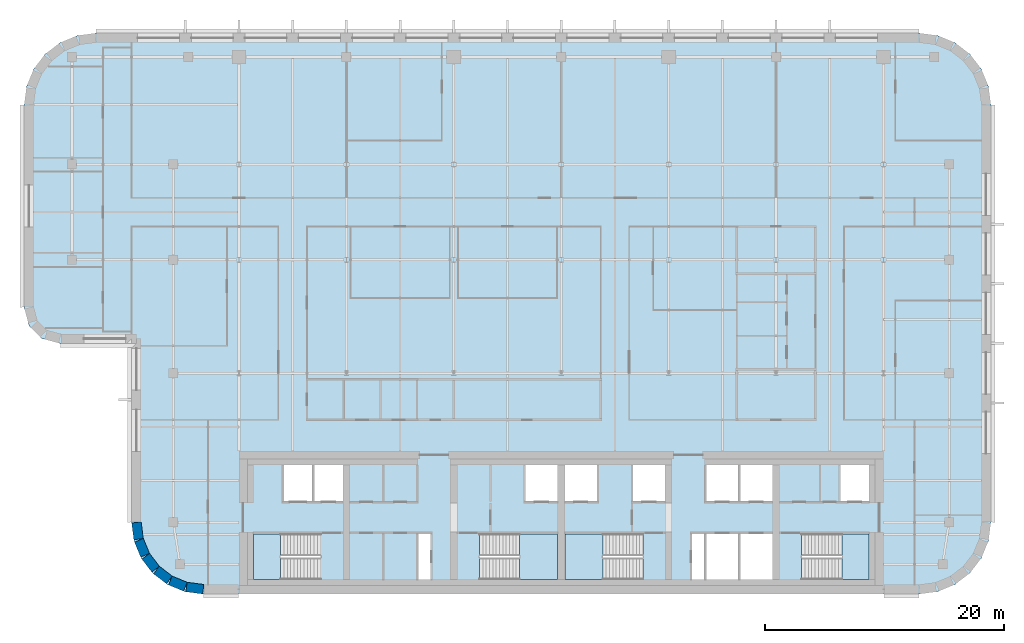
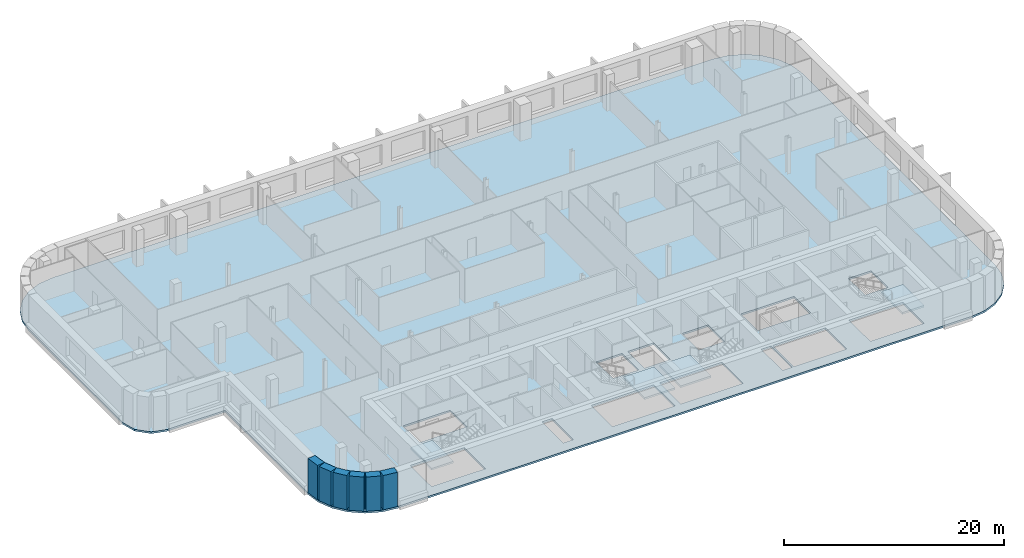
# One storey, part 6 of 17: 6 walls, 5 slabs, 4 elements without a shape of their own.
"""IFC4 building model written with IfcOpenShell, lengths in metres."""

from ifc_helpers import new_model, si_unit, direction, frame, frame_2d, origin, place, context, subcontext, project, spatial, polyline, rectangle, outline, extrude, material, layer, layer_set, type_object, element, aggregate, save


model = new_model("IFC4")

# Units and contexts
model_context = context("Model", 3, precision=1e-05, world=origin(), true_north=direction((0.0, 1.0)))
body_context = subcontext(model_context, "Body", "Model", "MODEL_VIEW")
ifc_project = project(units=[si_unit("LENGTHUNIT", "METRE"), si_unit("AREAUNIT", "SQUARE_METRE"), si_unit("VOLUMEUNIT", "CUBIC_METRE"), si_unit("PLANEANGLEUNIT", "RADIAN"), si_unit("MASSUNIT", "GRAM", prefix="KILO")], contexts=[model_context])

# Site, building, storey
site_placement = place(None, origin())
site = spatial("IfcSite", under=ifc_project, at=site_placement, CompositionType="ELEMENT")
building_placement = place(site_placement, origin())
building = spatial("IfcBuilding", under=site, at=building_placement, Name="Zellij Exchange Tower", CompositionType="ELEMENT")
storey_placement = place(building_placement, frame((0.0, 0.0, 224.5)))
storey = spatial("IfcBuildingStorey", under=building, at=storey_placement, Name="L52", CompositionType="ELEMENT", Elevation=224.5)

# Stair, slab
ifc_material_1 = material(Name="Concrete C40/50", Category="concrete")
stair_type = type_object("IfcStairType", Name="CORE-ST exit stair 1850 wide", PredefinedType="HALF_TURN_STAIR", material=ifc_material_1)
stair_1_placement = place(storey_placement, origin())
stair_1 = element("IfcStair", 1, at=stair_1_placement, inside=storey, type_object=stair_type, Name="L52 exit stair ST1", PredefinedType="HALF_TURN_STAIR")
ifc_layer_1 = layer(ifc_material_1, 0.199951171875)
ifc_layer_set_1 = layer_set([ifc_layer_1], Name="Concrete C40/50")
slab_type_1 = type_object("IfcSlabType", Name="CORE-SL stair landing 200", PredefinedType="LANDING", material=ifc_layer_set_1)
slab_1_placement = place(storey_placement, frame((0.0, 0.0, 1.800048828125)))
slab_1 = element("IfcSlab", 2, at=slab_1_placement, type_object=slab_type_1, Name="ST1 landing 1", PredefinedType="LANDING", context=body_context, shape_type="SweptSolid", body=[
    extrude(outline(polyline([(-23.510009765625, -8.949951171875), (-25.800048828125, -8.949951171875), (-25.800048828125, -12.800048828125), (-23.510009765625, -12.800048828125), (-23.510009765625, -8.949951171875)])), origin(), (0.0, 0.0, 1.0), 0.199951171875),
])
aggregate(stair_1, [slab_1])

stair_2_placement = place(storey_placement, origin())
stair_2 = element("IfcStair", 3, at=stair_2_placement, inside=storey, type_object=stair_type, Name="L52 exit stair ST2", PredefinedType="HALF_TURN_STAIR")
slab_2_placement = place(storey_placement, frame((0.0, 0.0, 1.800048828125)))
slab_2 = element("IfcSlab", 4, at=slab_2_placement, type_object=slab_type_1, Name="ST2 landing 1", PredefinedType="LANDING", context=body_context, shape_type="SweptSolid", body=[
    extrude(outline(polyline([(-3.489990234375, -12.800048828125), (-0.300048828125, -12.800048828125), (-0.300048828125, -8.949951171875), (-3.489990234375, -8.949951171875), (-3.489990234375, -12.800048828125)])), origin(), (0.0, 0.0, 1.0), 0.199951171875),
])
aggregate(stair_2, [slab_2])

stair_3_placement = place(storey_placement, origin())
stair_3 = element("IfcStair", 5, at=stair_3_placement, inside=storey, type_object=stair_type, Name="L52 exit stair ST3", PredefinedType="HALF_TURN_STAIR")
slab_3_placement = place(storey_placement, frame((0.0, 0.0, 1.800048828125)))
slab_3 = element("IfcSlab", 6, at=slab_3_placement, type_object=slab_type_1, Name="ST3 landing 1", PredefinedType="LANDING", context=body_context, shape_type="SweptSolid", body=[
    extrude(outline(polyline([(3.489990234375, -8.949951171875), (0.300048828125, -8.949951171875), (0.300048828125, -12.800048828125), (3.489990234375, -12.800048828125), (3.489990234375, -8.949951171875)])), origin(), (0.0, 0.0, 1.0), 0.199951171875),
])
aggregate(stair_3, [slab_3])

stair_4_placement = place(storey_placement, origin())
stair_4 = element("IfcStair", 7, at=stair_4_placement, inside=storey, type_object=stair_type, Name="L52 exit stair ST4", PredefinedType="HALF_TURN_STAIR")
slab_4_placement = place(storey_placement, frame((0.0, 0.0, 1.800048828125)))
slab_4 = element("IfcSlab", 8, at=slab_4_placement, type_object=slab_type_1, Name="ST4 landing 1", PredefinedType="LANDING", context=body_context, shape_type="SweptSolid", body=[
    extrude(outline(polyline([(23.510009765625, -12.800048828125), (25.800048828125, -12.800048828125), (25.800048828125, -8.949951171875), (23.510009765625, -8.949951171875), (23.510009765625, -12.800048828125)])), origin(), (0.0, 0.0, 1.0), 0.199951171875),
])
aggregate(stair_4, [slab_4])

# Slab
ifc_layer_2 = layer(ifc_material_1, 0.199951171875)
ifc_layer_set_2 = layer_set([ifc_layer_2], Name="Concrete C40/50")
slab_type_2 = type_object("IfcSlabType", Name="STR-FLOOR SLAB 200 C40/50", PredefinedType="FLOOR", material=ifc_layer_set_2)
slab_5_placement = place(storey_placement, frame((0.0, 0.0, -0.2001953125)))
element("IfcSlab", 9, at=slab_5_placement, inside=storey, type_object=slab_type_2, Name="Floor L52", PredefinedType="FLOOR", context=body_context, shape_type="SweptSolid", body=[
    extrude(outline(polyline([(31.552978515625, 32.795654296875), (33.0, 32.1962890625), (34.24267578125, 31.24267578125), (35.1962890625, 30.0), (35.795654296875, 28.552978515625), (36.0, 27.0), (36.0, -8.0), (35.795654296875, -9.552978515625), (35.1962890625, -11.0), (34.24267578125, -12.24267578125), (33.0, -13.1962890625), (31.552978515625, -13.795654296875), (30.0, -14.0), (-30.0, -14.0), (-31.552978515625, -13.795654296875), (-33.0, -13.1962890625), (-34.24267578125, -12.24267578125), (-35.1962890625, -11.0), (-35.795654296875, -9.552978515625), (-36.0, -8.0), (-36.0, 7.0), (-42.0, 7.0), (-43.5, 7.40185546875), (-44.59814453125, 8.5), (-45.0, 10.0), (-45.0, 27.0), (-44.795654296875, 28.552978515625), (-44.1962890625, 30.0), (-43.24267578125, 31.24267578125), (-42.0, 32.1962890625), (-40.552978515625, 32.795654296875), (-39.0, 33.0), (30.0, 33.0), (31.552978515625, 32.795654296875)]), holes=[polyline([(-25.800048828125, -8.949951171875), (-25.800048828125, -12.800048828125), (-20.153076171875, -12.800048828125), (-20.153076171875, -8.949951171875), (-25.800048828125, -8.949951171875)]), polyline([(-10.949951171875, -8.949951171875), (-12.0, -8.949951171875), (-12.0, -12.800048828125), (-10.949951171875, -12.800048828125), (-10.949951171875, -8.949951171875)]), polyline([(-0.300048828125, -8.949951171875), (-6.846923828125, -8.949951171875), (-6.846923828125, -12.800048828125), (-0.300048828125, -12.800048828125), (-0.300048828125, -8.949951171875)]), polyline([(0.300048828125, -8.949951171875), (0.300048828125, -12.800048828125), (6.846923828125, -12.800048828125), (6.846923828125, -8.949951171875), (0.300048828125, -8.949951171875)]), polyline([(-18.300048828125, -3.199951171875), (-23.25, -3.199951171875), (-23.25, -6.22509765625), (-18.300048828125, -6.22509765625), (-18.300048828125, -3.199951171875)]), polyline([(-0.300048828125, -3.199951171875), (-3.0, -3.199951171875), (-3.0, -6.22509765625), (-0.300048828125, -6.22509765625), (-0.300048828125, -3.199951171875)]), polyline([(0.300048828125, -3.199951171875), (0.300048828125, -6.22509765625), (3.0, -6.22509765625), (3.0, -3.199951171875), (0.300048828125, -3.199951171875)]), polyline([(12.0, -8.949951171875), (10.949951171875, -8.949951171875), (10.949951171875, -12.800048828125), (12.0, -12.800048828125), (12.0, -8.949951171875)]), polyline([(17.699951171875, -8.949951171875), (12.14990234375, -8.949951171875), (12.14990234375, -12.800048828125), (17.699951171875, -12.800048828125), (17.699951171875, -8.949951171875)]), polyline([(25.800048828125, -8.949951171875), (20.153076171875, -8.949951171875), (20.153076171875, -12.800048828125), (25.800048828125, -12.800048828125), (25.800048828125, -8.949951171875)]), polyline([(8.699951171875, -3.199951171875), (6.0, -3.199951171875), (6.0, -6.22509765625), (8.699951171875, -6.22509765625), (8.699951171875, -3.199951171875)]), polyline([(17.699951171875, -3.199951171875), (12.14990234375, -3.199951171875), (12.14990234375, -6.22509765625), (17.699951171875, -6.22509765625), (17.699951171875, -3.199951171875)]), polyline([(25.800048828125, -3.199951171875), (23.39990234375, -3.199951171875), (23.39990234375, -6.22509765625), (25.800048828125, -6.22509765625), (25.800048828125, -3.199951171875)])]), origin(), (0.0, 0.0, 1.0), 0.2001953125),
])

# Walls
ifc_material_2 = material(Name="Precast concrete C40/50", Category="concrete")
ifc_layer_3 = layer(ifc_material_2, 0.800048828125)
ifc_layer_set_3 = layer_set([ifc_layer_3], Name="Precast concrete C40/50")
wall_type = type_object("IfcWallType", Name="ENV-EW1 Precast stone-piered wall 800", PredefinedType="SOLIDWALL", material=ifc_layer_set_3)
wall_1_placement = place(storey_placement, frame((-35.5966796875, -7.999755859375, 0.0), z_axis=(0.0, 0.0, 1.0), x_axis=(0.130517283865, -0.99144603414, 0.0)))
element("IfcWall", 10, at=wall_1_placement, inside=storey, type_object=wall_type, Name="fac.L52.27", PredefinedType="SOLIDWALL", context=body_context, shape_type="SweptSolid", body=[
    extrude(rectangle(XDim=1.408447265625, YDim=0.800048828125, at=frame_2d((0.7041015625, 0.0))), origin(), (0.0, 0.0, 1.0), 3.800048828125),
])
wall_2_placement = place(storey_placement, frame((-35.3857421875, -9.497314453125, 0.0), z_axis=(0.0, 0.0, 1.0), x_axis=(0.38276009378, -0.923847774587, 0.0)))
element("IfcWall", 11, at=wall_2_placement, inside=storey, type_object=wall_type, Name="fac.L52.28", PredefinedType="SOLIDWALL", context=body_context, shape_type="SweptSolid", body=[
    extrude(rectangle(XDim=1.35546875, YDim=0.800048828125, at=frame_2d((0.677734375, 0.0))), origin(), (0.0, 0.0, 1.0), 3.800048828125),
])
for number, where, z_axis, x_axis, name in (
    (12, (-34.814697265625, -10.840087890625, 0.0), (0.0, 0.0, 1.0), (0.608866226366, -0.793272915452, 0.0), "fac.L52.29"),
    (13, (-33.91552734375, -11.9892578125, 0.0), (0.0, 0.0, 1.0), (0.793272915452, -0.608866226366, 0.0), "fac.L52.30"),
):
    element("IfcWall", number, at=place(storey_placement, frame(where, z_axis=z_axis, x_axis=x_axis)), inside=storey, type_object=wall_type, Name=name, PredefinedType="SOLIDWALL", context=body_context, shape_type="SweptSolid", body=[
        extrude(rectangle(XDim=1.355712890625, YDim=0.800048828125, at=frame_2d((0.677734375, 0.0))), origin(), (0.0, 0.0, 1.0), 3.800048828125),
    ])
wall_3_placement = place(storey_placement, frame((-32.74951171875, -12.866943359375, 0.0), z_axis=(0.0, 0.0, 1.0), x_axis=(0.923847774587, -0.38276009378, 0.0)))
element("IfcWall", 14, at=wall_3_placement, inside=storey, type_object=wall_type, Name="fac.L52.31", PredefinedType="SOLIDWALL", context=body_context, shape_type="SweptSolid", body=[
    extrude(rectangle(XDim=1.35546875, YDim=0.800048828125, at=frame_2d((0.677734375, 0.0))), origin(), (0.0, 0.0, 1.0), 3.800048828125),
])
wall_4_placement = place(storey_placement, frame((-31.396240234375, -13.412841796875, 0.0), z_axis=(0.0, 0.0, 1.0), x_axis=(0.99144603414, -0.130517283865, 0.0)))
element("IfcWall", 15, at=wall_4_placement, inside=storey, type_object=wall_type, Name="fac.L52.32", PredefinedType="SOLIDWALL", context=body_context, shape_type="SweptSolid", body=[
    extrude(rectangle(XDim=1.408447265625, YDim=0.800048828125, at=frame_2d((0.7041015625, 0.0))), origin(), (0.0, 0.0, 1.0), 3.800048828125),
])

save(model, "model.ifc")
